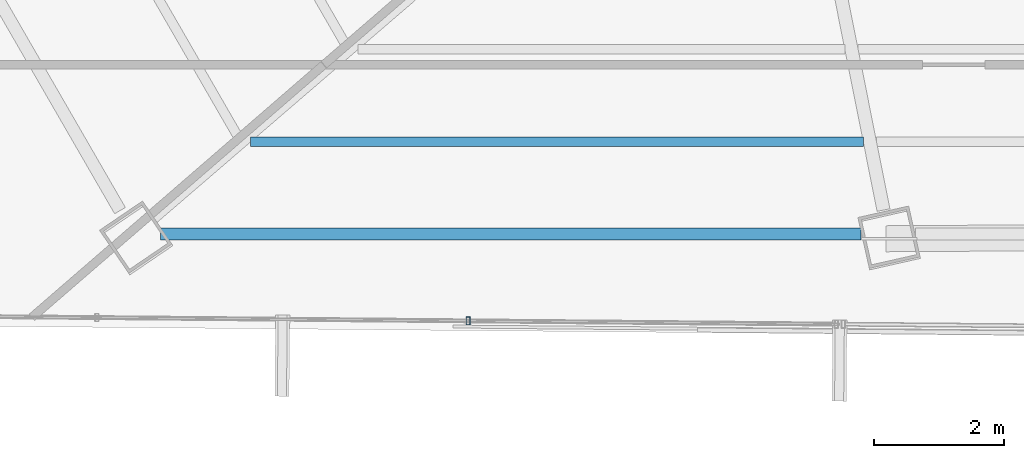
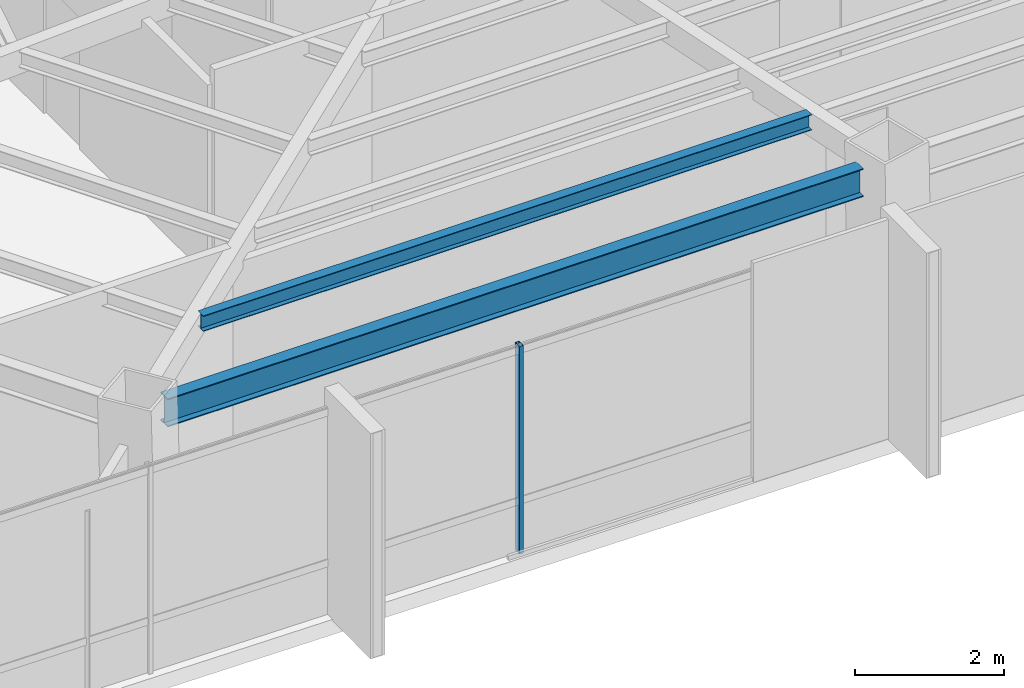
# One storey, part 6 of 47: 2 beams, 1 member, 1 element without a shape of its own.
"""IFC4 building model written with IfcOpenShell, lengths in metres."""

from ifc_helpers import new_model, si_unit, direction, frame, origin, origin_2d, place, context, subcontext, project, spatial, hollow_rectangle, i_section, extrude, source, transform, mapped, material, material_profile, profile_set, type_object, type_shapes, element, aggregate, save


model = new_model("IFC4")

# Units and contexts
model_context = context("Model", 3, precision=1e-05, world=origin(), true_north=direction((0.0, 1.0)))
body_context = subcontext(model_context, "Body", "Model", "MODEL_VIEW")
ifc_project = project(units=[si_unit("LENGTHUNIT", "METRE"), si_unit("AREAUNIT", "SQUARE_METRE"), si_unit("VOLUMEUNIT", "CUBIC_METRE"), si_unit("PLANEANGLEUNIT", "RADIAN"), si_unit("MASSUNIT", "GRAM", prefix="KILO")], contexts=[model_context])

# Site, building, storey
site_placement = place(None, origin())
site = spatial("IfcSite", under=ifc_project, at=site_placement, CompositionType="ELEMENT")
building_placement = place(site_placement, origin())
building = spatial("IfcBuilding", under=site, at=building_placement, Name="Caelisora Broadcast Tower", CompositionType="ELEMENT")
storey_placement = place(building_placement, frame((0.0, 0.0, 229.85009765625)))
storey = spatial("IfcBuildingStorey", under=building, at=storey_placement, Name="L60", CompositionType="ELEMENT", Elevation=229.85009765625)

# Beams
ifc_material_1 = material(Name="Steel Grade 350 (AS/NZS 3679.1)", Category="steel")
ifc_material_profile_1 = material_profile(ifc_material_1, i_section(OverallWidth=0.19091796875, OverallDepth=0.46044921875, WebThickness=0.010009765625, FlangeThickness=0.01611328125, at=origin_2d()), Name="Steel Grade 350 (AS/NZS 3679.1)")
ifc_profile_set_1 = profile_set([ifc_material_profile_1], Name="Steel Grade 350 (AS/NZS 3679.1)")
beam_type_1 = type_object("IfcBeamType", Name="PG06", PredefinedType="BEAM", material=ifc_profile_set_1)
shared_shape_1 = source(origin(), body_context, "Body", "SweptSolid", [
    extrude(i_section(OverallWidth=0.19091796875, OverallDepth=0.46044921875, WebThickness=0.010009765625, FlangeThickness=0.01611328125, at=origin_2d()), origin(), (0.0, 0.0, 1.0), 10.771728515625),
])
type_shapes(beam_type_1, [shared_shape_1])
beam_1_placement = place(storey_placement, frame((21.010498046875, 8.87841796875, 3.169677734375), z_axis=(1.0, 0.0, 0.0), x_axis=(0.0, 1.0, 0.0)))
element("IfcBeam", 1, at=beam_1_placement, inside=storey, type_object=beam_type_1, Name="L60 beam PG06", PredefinedType="BEAM", context=body_context, shape_type="MappedRepresentation", body=[
    mapped(shared_shape_1, transform((0.0, 0.0, 0.0), scale=1.0)),
])
ifc_material_profile_2 = material_profile(ifc_material_1, i_section(OverallWidth=0.14599609375, OverallDepth=0.256103515625, WebThickness=0.00634765625, FlangeThickness=0.010986328125, at=origin_2d()), Name="Steel Grade 350 (AS/NZS 3679.1)")
ifc_profile_set_2 = profile_set([ifc_material_profile_2], Name="Steel Grade 350 (AS/NZS 3679.1)")
beam_type_2 = type_object("IfcBeamType", Name="SB04", PredefinedType="JOIST", material=ifc_profile_set_2)
shared_shape_2 = source(origin(), body_context, "Body", "SweptSolid", [
    extrude(i_section(OverallWidth=0.14599609375, OverallDepth=0.256103515625, WebThickness=0.00634765625, FlangeThickness=0.010986328125, at=origin_2d()), origin(), (0.0, 0.0, 1.0), 9.42041015625),
])
type_shapes(beam_type_2, [shared_shape_2])
beam_2_placement = place(storey_placement, frame((22.395751953125, 10.298583984375, 3.271728515625), z_axis=(1.0, 0.0, 0.0), x_axis=(0.0, 1.0, 0.0)))
element("IfcBeam", 2, at=beam_2_placement, inside=storey, type_object=beam_type_2, Name="L60 beam SB04", PredefinedType="JOIST", context=body_context, shape_type="MappedRepresentation", body=[
    mapped(shared_shape_2, transform((0.0, 0.0, 0.0), scale=1.0)),
])

# Curtain wall, member
ifc_material_2 = material(Name="Unitised Aluminium and Low-E Glass Curtain Wall", Category="glass")
curtain_wall_type = type_object("IfcCurtainWallType", Name="CW-Z5", PredefinedType="NOTDEFINED", material=ifc_material_2)
curtain_wall_placement = place(storey_placement, origin())
curtain_wall = element("IfcCurtainWall", 3, at=curtain_wall_placement, inside=storey, type_object=curtain_wall_type, Name="L60 curtain wall CW-Z5", PredefinedType="NOTDEFINED")
ifc_material_3 = material(Name="Aluminium 6063-T6 Anodised Terracotta Bronze", Category="aluminium")
ifc_material_profile_3 = material_profile(ifc_material_3, hollow_rectangle(XDim=0.06005859375, YDim=0.1201171875, WallThickness=0.0029296875, at=origin_2d()), Name="Aluminium 6063-T6 Anodised Terracotta Bronze")
ifc_profile_set_3 = profile_set([ifc_material_profile_3], Name="Aluminium 6063-T6 Anodised Terracotta Bronze")
member_type = type_object("IfcMemberType", Name="CWM-04", PredefinedType="MULLION", material=ifc_profile_set_3)
shared_shape_3 = source(origin(), body_context, "Body", "SweptSolid", [
    extrude(hollow_rectangle(XDim=0.06005859375, YDim=0.1201171875, WallThickness=0.0029296875, at=origin_2d()), origin(), (0.0, 0.0, 1.0), 3.39990234375),
])
type_shapes(member_type, [shared_shape_3])
member_placement = place(storey_placement, frame((25.739013671875, 7.543701171875, 0.0), z_axis=(0.0, 0.0, 1.0), x_axis=(1.0, 0.0, 0.0)))
member = element("IfcMember", 4, at=member_placement, type_object=member_type, Name="L60-CW-B07 mullion #1", PredefinedType="MULLION", context=body_context, shape_type="MappedRepresentation", body=[
    mapped(shared_shape_3, transform((0.0, 0.0, 0.0), scale=1.0)),
])
aggregate(curtain_wall, [member])

save(model, "model.ifc")
